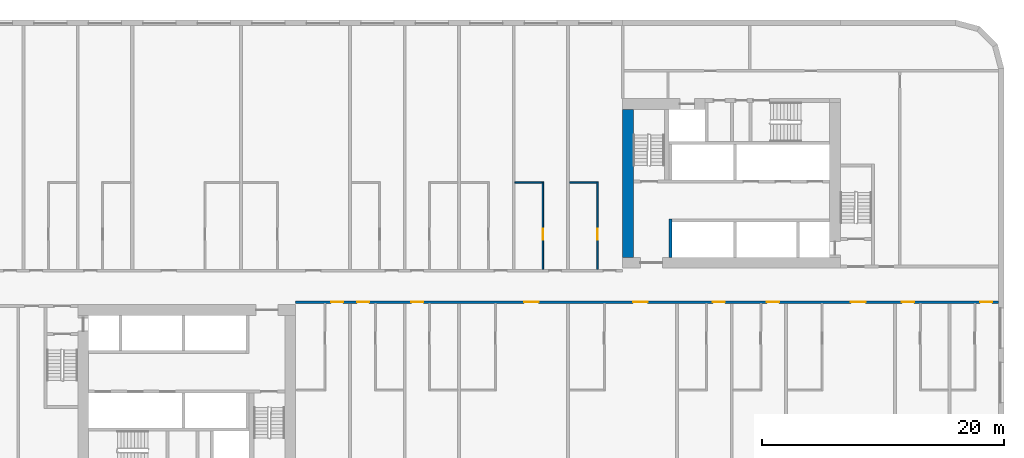
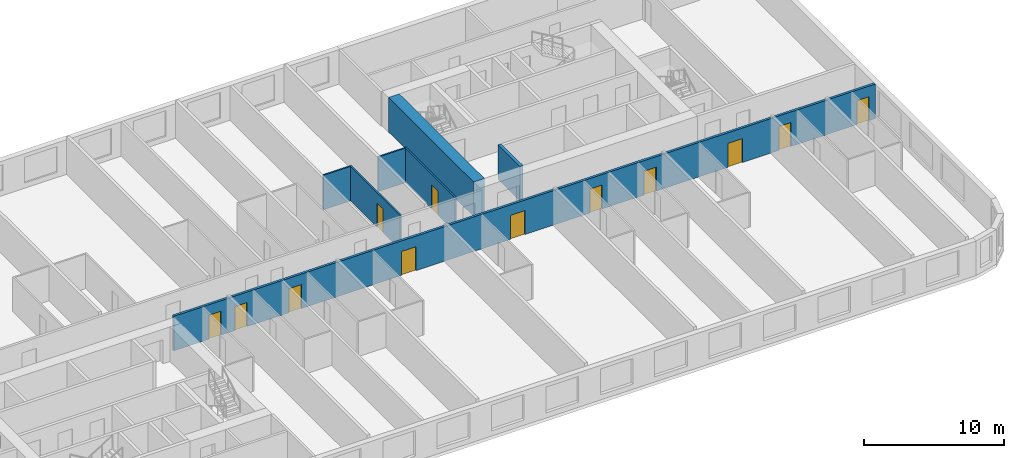
# One storey, part 5 of 12: 12 doors, 7 walls, 12 openings.
"""IFC4 building model written with IfcOpenShell, lengths in metres."""

from ifc_helpers import new_model, si_unit, direction, frame, frame_2d, origin, place, context, subcontext, project, spatial, rectangle, extrude, material, layer, layer_set, type_object, element, fill, save


model = new_model("IFC4")

# Units and contexts
model_context = context("Model", 3, precision=1e-05, world=origin(), true_north=direction((0.0, 1.0)))
body_context = subcontext(model_context, "Body", "Model", "MODEL_VIEW")
ifc_project = project(units=[si_unit("LENGTHUNIT", "METRE"), si_unit("AREAUNIT", "SQUARE_METRE"), si_unit("VOLUMEUNIT", "CUBIC_METRE"), si_unit("PLANEANGLEUNIT", "RADIAN"), si_unit("MASSUNIT", "GRAM", prefix="KILO")], contexts=[model_context])

# Site, building, storey
site_placement = place(None, origin())
site = spatial("IfcSite", under=ifc_project, at=site_placement, CompositionType="ELEMENT")
building_placement = place(site_placement, origin())
building = spatial("IfcBuilding", under=site, at=building_placement, Name="Kajstack Hotel Tower", CompositionType="ELEMENT")
storey_placement = place(building_placement, frame((0.0, 0.0, 76.5)))
storey = spatial("IfcBuildingStorey", under=building, at=storey_placement, Name="L14", CompositionType="ELEMENT", Elevation=76.5)

# Wall
ifc_material_1 = material(Name="Concrete C60/75", Category="concrete")
ifc_layer_1 = layer(ifc_material_1, 0.89990234375)
ifc_layer_set_1 = layer_set([ifc_layer_1], Name="Core wall 900")
wall_type_1 = type_object("IfcWallType", Name="Core wall 900", PredefinedType="SHEAR", material=ifc_layer_set_1)
wall_1_placement = place(storey_placement, frame((13.949951171875, 2.39990234375, 0.0), z_axis=(0.0, 0.0, 1.0), x_axis=(0.0, 1.0, 0.0)))
element("IfcWall", 1, at=wall_1_placement, inside=storey, type_object=wall_type_1, Name="Core wall E RE", PredefinedType="SHEAR", context=body_context, shape_type="SweptSolid", body=[
    extrude(rectangle(XDim=12.2001953125, YDim=0.89990234375, at=frame_2d((6.10009765625, 0.0))), origin(), (0.0, 0.0, 1.0), 3.02001953125),
])

# Wall, openings, doors
ifc_material_2 = material(Name="Gypsum board on steel studs, mineral wool", Category="steel")
ifc_layer_2 = layer(ifc_material_2, 0.199951171875)
ifc_layer_set_2 = layer_set([ifc_layer_2], Name="Corridor wall 200")
wall_type_2 = type_object("IfcWallType", Name="Corridor wall 200", PredefinedType="PARTITIONING", material=ifc_layer_set_2)
wall_2_placement = place(storey_placement, frame((-13.5, -1.300048828125, 0.0), z_axis=(0.0, 0.0, 1.0), x_axis=(1.0, 0.0, 0.0)))
wall_2 = element("IfcWall", 2, at=wall_2_placement, inside=storey, type_object=wall_type_2, Name="G-wall-L14-029", PredefinedType="PARTITIONING", context=body_context, shape_type="SweptSolid", body=[
    extrude(rectangle(XDim=58.050048828125, YDim=0.199951171875, at=frame_2d((29.02490234375, 0.0))), origin(), (0.0, 0.0, 1.0), 3.02001953125),
])
opening_1_placement = place(wall_2_placement, frame((2.925048828125, 0.0, 0.0)))
opening_1 = element("IfcOpeningElement", 3, at=opening_1_placement, cuts=wall_2, Name="Opening 14023", PredefinedType="OPENING", context=body_context, shape_type="SweptSolid", body=[
    extrude(rectangle(XDim=1.0, YDim=2.10009765625, at=frame_2d((0.5, 1.050048828125))), frame((0.0, 0.10986328125, 0.0), z_axis=(0.0, -1.0, 0.0), x_axis=(1.0, 0.0, 0.0)), (0.0, 0.0, 1.0), 0.219970703125),
])
opening_2_placement = place(wall_2_placement, frame((5.074951171875, 0.0, 0.0)))
opening_2 = element("IfcOpeningElement", 4, at=opening_2_placement, cuts=wall_2, Name="Opening 14025", PredefinedType="OPENING", context=body_context, shape_type="SweptSolid", body=[
    extrude(rectangle(XDim=1.0, YDim=2.10009765625, at=frame_2d((0.5, 1.050048828125))), frame((0.0, 0.10986328125, 0.0), z_axis=(0.0, -1.0, 0.0), x_axis=(1.0, 0.0, 0.0)), (0.0, 0.0, 1.0), 0.219970703125),
])
opening_3_placement = place(wall_2_placement, frame((9.550048828125, 0.0, 0.0)))
opening_3 = element("IfcOpeningElement", 5, at=opening_3_placement, cuts=wall_2, Name="Opening 14027", PredefinedType="OPENING", context=body_context, shape_type="SweptSolid", body=[
    extrude(rectangle(XDim=1.0, YDim=2.10009765625, at=frame_2d((0.5, 1.050048828125))), frame((0.0, 0.10986328125, 0.0), z_axis=(0.0, -1.0, 0.0), x_axis=(1.0, 0.0, 0.0)), (0.0, 0.0, 1.0), 0.219970703125),
])
opening_4_placement = place(wall_2_placement, frame((18.862060546875, 0.0, 0.0)))
opening_4 = element("IfcOpeningElement", 6, at=opening_4_placement, cuts=wall_2, Name="Opening 14029", PredefinedType="OPENING", context=body_context, shape_type="SweptSolid", body=[
    extrude(rectangle(XDim=1.199951171875, YDim=2.10009765625, at=frame_2d((0.60009765625, 1.050048828125))), frame((0.0, 0.10986328125, 0.0), z_axis=(0.0, -1.0, 0.0), x_axis=(1.0, 0.0, 0.0)), (0.0, 0.0, 1.0), 0.219970703125),
])
opening_5_placement = place(wall_2_placement, frame((27.862060546875, 0.0, 0.0)))
opening_5 = element("IfcOpeningElement", 7, at=opening_5_placement, cuts=wall_2, Name="Opening 14031", PredefinedType="OPENING", context=body_context, shape_type="SweptSolid", body=[
    extrude(rectangle(XDim=1.199951171875, YDim=2.10009765625, at=frame_2d((0.60009765625, 1.050048828125))), frame((0.0, 0.10986328125, 0.0), z_axis=(0.0, -1.0, 0.0), x_axis=(1.0, 0.0, 0.0)), (0.0, 0.0, 1.0), 0.219970703125),
])
opening_6_placement = place(wall_2_placement, frame((34.449951171875, 0.0, 0.0)))
opening_6 = element("IfcOpeningElement", 8, at=opening_6_placement, cuts=wall_2, Name="Opening 14033", PredefinedType="OPENING", context=body_context, shape_type="SweptSolid", body=[
    extrude(rectangle(XDim=1.0, YDim=2.10009765625, at=frame_2d((0.5, 1.050048828125))), frame((0.0, 0.10986328125, 0.0), z_axis=(0.0, -1.0, 0.0), x_axis=(1.0, 0.0, 0.0)), (0.0, 0.0, 1.0), 0.219970703125),
])
opening_7_placement = place(wall_2_placement, frame((38.925048828125, 0.0, 0.0)))
opening_7 = element("IfcOpeningElement", 9, at=opening_7_placement, cuts=wall_2, Name="Opening 14035", PredefinedType="OPENING", context=body_context, shape_type="SweptSolid", body=[
    extrude(rectangle(XDim=1.0, YDim=2.10009765625, at=frame_2d((0.5, 1.050048828125))), frame((0.0, 0.10986328125, 0.0), z_axis=(0.0, -1.0, 0.0), x_axis=(1.0, 0.0, 0.0)), (0.0, 0.0, 1.0), 0.219970703125),
])
opening_8_placement = place(wall_2_placement, frame((45.862060546875, 0.0, 0.0)))
opening_8 = element("IfcOpeningElement", 10, at=opening_8_placement, cuts=wall_2, Name="Opening 14037", PredefinedType="OPENING", context=body_context, shape_type="SweptSolid", body=[
    extrude(rectangle(XDim=1.199951171875, YDim=2.10009765625, at=frame_2d((0.60009765625, 1.050048828125))), frame((0.0, 0.10986328125, 0.0), z_axis=(0.0, -1.0, 0.0), x_axis=(1.0, 0.0, 0.0)), (0.0, 0.0, 1.0), 0.219970703125),
])
opening_9_placement = place(wall_2_placement, frame((50.074951171875, 0.0, 0.0)))
opening_9 = element("IfcOpeningElement", 11, at=opening_9_placement, cuts=wall_2, Name="Opening 14039", PredefinedType="OPENING", context=body_context, shape_type="SweptSolid", body=[
    extrude(rectangle(XDim=1.0, YDim=2.10009765625, at=frame_2d((0.5, 1.050048828125))), frame((0.0, 0.10986328125, 0.0), z_axis=(0.0, -1.0, 0.0), x_axis=(1.0, 0.0, 0.0)), (0.0, 0.0, 1.0), 0.219970703125),
])
opening_10_placement = place(wall_2_placement, frame((56.52490234375, 0.0, 0.0)))
opening_10 = element("IfcOpeningElement", 12, at=opening_10_placement, cuts=wall_2, Name="Opening 14041", PredefinedType="OPENING", context=body_context, shape_type="SweptSolid", body=[
    extrude(rectangle(XDim=1.0, YDim=2.10009765625, at=frame_2d((0.5, 1.050048828125))), frame((0.0, 0.10986328125, 0.0), z_axis=(0.0, -1.0, 0.0), x_axis=(1.0, 0.0, 0.0)), (0.0, 0.0, 1.0), 0.219970703125),
])
ifc_material_3 = material(Name="Oak veneer on timber core, fire-rated leaf", Category="wood")
door_type_1 = type_object("IfcDoorType", Name="Flat entrance door 1000", OperationType="SINGLE_SWING_LEFT", PredefinedType="DOOR", material=ifc_material_3)
door_1_placement = place(opening_1_placement, origin())
door_1 = element("IfcDoor", 13, at=door_1_placement, inside=storey, type_object=door_type_1, Name="G-door-L14-23", OperationType="SINGLE_SWING_RIGHT", OverallHeight=2.10009765625, OverallWidth=1.0, PredefinedType="DOOR", context=body_context, shape_type="SweptSolid", body=[
    extrude(rectangle(XDim=1.0, YDim=2.10009765625, at=frame_2d((0.5, 1.050048828125))), frame((0.0, 0.02490234375, 0.0), z_axis=(0.0, -1.0, 0.0), x_axis=(1.0, 0.0, 0.0)), (0.0, 0.0, 1.0), 0.050048828125),
])
fill(opening_1, door_1)
door_2_placement = place(opening_2_placement, origin())
door_2 = element("IfcDoor", 14, at=door_2_placement, inside=storey, type_object=door_type_1, Name="G-door-L14-25", OperationType="SINGLE_SWING_RIGHT", OverallHeight=2.10009765625, OverallWidth=1.0, PredefinedType="DOOR", context=body_context, shape_type="SweptSolid", body=[
    extrude(rectangle(XDim=1.0, YDim=2.10009765625, at=frame_2d((0.5, 1.050048828125))), frame((0.0, 0.02490234375, 0.0), z_axis=(0.0, -1.0, 0.0), x_axis=(1.0, 0.0, 0.0)), (0.0, 0.0, 1.0), 0.050048828125),
])
fill(opening_2, door_2)
door_3_placement = place(opening_3_placement, origin())
door_3 = element("IfcDoor", 15, at=door_3_placement, inside=storey, type_object=door_type_1, Name="G-door-L14-27", OperationType="SINGLE_SWING_RIGHT", OverallHeight=2.10009765625, OverallWidth=1.0, PredefinedType="DOOR", context=body_context, shape_type="SweptSolid", body=[
    extrude(rectangle(XDim=1.0, YDim=2.10009765625, at=frame_2d((0.5, 1.050048828125))), frame((0.0, 0.02490234375, 0.0), z_axis=(0.0, -1.0, 0.0), x_axis=(1.0, 0.0, 0.0)), (0.0, 0.0, 1.0), 0.050048828125),
])
fill(opening_3, door_3)
door_4_placement = place(opening_6_placement, origin())
door_4 = element("IfcDoor", 16, at=door_4_placement, inside=storey, type_object=door_type_1, Name="G-door-L14-33", OperationType="SINGLE_SWING_LEFT", OverallHeight=2.10009765625, OverallWidth=1.0, PredefinedType="DOOR", context=body_context, shape_type="SweptSolid", body=[
    extrude(rectangle(XDim=1.0, YDim=2.10009765625, at=frame_2d((0.5, 1.050048828125))), frame((0.0, 0.02490234375, 0.0), z_axis=(0.0, -1.0, 0.0), x_axis=(1.0, 0.0, 0.0)), (0.0, 0.0, 1.0), 0.050048828125),
])
fill(opening_6, door_4)
door_5_placement = place(opening_7_placement, origin())
door_5 = element("IfcDoor", 17, at=door_5_placement, inside=storey, type_object=door_type_1, Name="G-door-L14-35", OperationType="SINGLE_SWING_RIGHT", OverallHeight=2.10009765625, OverallWidth=1.0, PredefinedType="DOOR", context=body_context, shape_type="SweptSolid", body=[
    extrude(rectangle(XDim=1.0, YDim=2.10009765625, at=frame_2d((0.5, 1.050048828125))), frame((0.0, 0.02490234375, 0.0), z_axis=(0.0, -1.0, 0.0), x_axis=(1.0, 0.0, 0.0)), (0.0, 0.0, 1.0), 0.050048828125),
])
fill(opening_7, door_5)
door_6_placement = place(opening_9_placement, origin())
door_6 = element("IfcDoor", 18, at=door_6_placement, inside=storey, type_object=door_type_1, Name="G-door-L14-39", OperationType="SINGLE_SWING_RIGHT", OverallHeight=2.10009765625, OverallWidth=1.0, PredefinedType="DOOR", context=body_context, shape_type="SweptSolid", body=[
    extrude(rectangle(XDim=1.0, YDim=2.10009765625, at=frame_2d((0.5, 1.050048828125))), frame((0.0, 0.02490234375, 0.0), z_axis=(0.0, -1.0, 0.0), x_axis=(1.0, 0.0, 0.0)), (0.0, 0.0, 1.0), 0.050048828125),
])
fill(opening_9, door_6)
door_7_placement = place(opening_10_placement, origin())
door_7 = element("IfcDoor", 19, at=door_7_placement, inside=storey, type_object=door_type_1, Name="G-door-L14-41", OperationType="SINGLE_SWING_LEFT", OverallHeight=2.10009765625, OverallWidth=1.0, PredefinedType="DOOR", context=body_context, shape_type="SweptSolid", body=[
    extrude(rectangle(XDim=1.0, YDim=2.10009765625, at=frame_2d((0.5, 1.050048828125))), frame((0.0, 0.02490234375, 0.0), z_axis=(0.0, -1.0, 0.0), x_axis=(1.0, 0.0, 0.0)), (0.0, 0.0, 1.0), 0.050048828125),
])
fill(opening_10, door_7)
door_type_2 = type_object("IfcDoorType", Name="Flat entrance door 1200", OperationType="SINGLE_SWING_LEFT", PredefinedType="DOOR", material=ifc_material_3)
door_8_placement = place(opening_4_placement, origin())
door_8 = element("IfcDoor", 20, at=door_8_placement, inside=storey, type_object=door_type_2, Name="G-door-L14-29", OperationType="SINGLE_SWING_LEFT", OverallHeight=2.10009765625, OverallWidth=1.199951171875, PredefinedType="DOOR", context=body_context, shape_type="SweptSolid", body=[
    extrude(rectangle(XDim=1.199951171875, YDim=2.10009765625, at=frame_2d((0.60009765625, 1.050048828125))), frame((0.0, 0.02490234375, 0.0), z_axis=(0.0, -1.0, 0.0), x_axis=(1.0, 0.0, 0.0)), (0.0, 0.0, 1.0), 0.050048828125),
])
fill(opening_4, door_8)
door_9_placement = place(opening_5_placement, origin())
door_9 = element("IfcDoor", 21, at=door_9_placement, inside=storey, type_object=door_type_2, Name="G-door-L14-31", OperationType="SINGLE_SWING_RIGHT", OverallHeight=2.10009765625, OverallWidth=1.199951171875, PredefinedType="DOOR", context=body_context, shape_type="SweptSolid", body=[
    extrude(rectangle(XDim=1.199951171875, YDim=2.10009765625, at=frame_2d((0.60009765625, 1.050048828125))), frame((0.0, 0.02490234375, 0.0), z_axis=(0.0, -1.0, 0.0), x_axis=(1.0, 0.0, 0.0)), (0.0, 0.0, 1.0), 0.050048828125),
])
fill(opening_5, door_9)
door_10_placement = place(opening_8_placement, origin())
door_10 = element("IfcDoor", 22, at=door_10_placement, inside=storey, type_object=door_type_2, Name="G-door-L14-37", OperationType="SINGLE_SWING_LEFT", OverallHeight=2.10009765625, OverallWidth=1.199951171875, PredefinedType="DOOR", context=body_context, shape_type="SweptSolid", body=[
    extrude(rectangle(XDim=1.199951171875, YDim=2.10009765625, at=frame_2d((0.60009765625, 1.050048828125))), frame((0.0, 0.02490234375, 0.0), z_axis=(0.0, -1.0, 0.0), x_axis=(1.0, 0.0, 0.0)), (0.0, 0.0, 1.0), 0.050048828125),
])
fill(opening_8, door_10)

# Wall, opening, door
ifc_material_4 = material(Name="Gypsum board and tiled backer on steel studs", Category="steel")
ifc_layer_3 = layer(ifc_material_4, 0.125)
ifc_layer_set_3 = layer_set([ifc_layer_3], Name="En-suite wall 125")
wall_type_3 = type_object("IfcWallType", Name="En-suite wall 125", PredefinedType="PARTITIONING", material=ifc_layer_set_3)
wall_3_placement = place(storey_placement, frame((6.912109375, 1.39990234375, 0.0), z_axis=(0.0, 0.0, 1.0), x_axis=(0.0, 1.0, 0.0)))
wall_3 = element("IfcWall", 23, at=wall_3_placement, inside=storey, type_object=wall_type_3, Name="G-wall-L14-025", PredefinedType="PARTITIONING", context=body_context, shape_type="SweptSolid", body=[
    extrude(rectangle(XDim=7.22509765625, YDim=0.125, at=frame_2d((3.612548828125, 0.0))), origin(), (0.0, 0.0, 1.0), 3.02001953125),
])
opening_11_placement = place(wall_3_placement, frame((2.449951171875, 0.0, 0.0)))
opening_11 = element("IfcOpeningElement", 24, at=opening_11_placement, cuts=wall_3, Name="Opening 14020", PredefinedType="OPENING", context=body_context, shape_type="SweptSolid", body=[
    extrude(rectangle(XDim=0.89990234375, YDim=2.10009765625, at=frame_2d((0.449951171875, 1.050048828125))), frame((0.0, 0.072509765625, 0.0), z_axis=(0.0, -1.0, 0.0), x_axis=(1.0, 0.0, 0.0)), (0.0, 0.0, 1.0), 0.14501953125),
])
ifc_material_5 = material(Name="Painted timber door leaf", Category="wood")
door_type_3 = type_object("IfcDoorType", Name="Room door 900", OperationType="SINGLE_SWING_LEFT", PredefinedType="DOOR", material=ifc_material_5)
door_11_placement = place(opening_11_placement, origin())
door_11 = element("IfcDoor", 25, at=door_11_placement, inside=storey, type_object=door_type_3, Name="G-door-L14-20", OperationType="SINGLE_SWING_RIGHT", OverallHeight=2.10009765625, OverallWidth=0.89990234375, PredefinedType="DOOR", context=body_context, shape_type="SweptSolid", body=[
    extrude(rectangle(XDim=0.89990234375, YDim=2.10009765625, at=frame_2d((0.449951171875, 1.050048828125))), frame((0.0, 0.02490234375, 0.0), z_axis=(0.0, -1.0, 0.0), x_axis=(1.0, 0.0, 0.0)), (0.0, 0.0, 1.0), 0.050048828125),
])
fill(opening_11, door_11)

# Wall
wall_4_placement = place(storey_placement, frame((4.60009765625, 8.56201171875, 0.0), z_axis=(0.0, 0.0, 1.0), x_axis=(1.0, 0.0, 0.0)))
element("IfcWall", 26, at=wall_4_placement, inside=storey, type_object=wall_type_3, Name="G-wall-L14-026", PredefinedType="PARTITIONING", context=body_context, shape_type="SweptSolid", body=[
    extrude(rectangle(XDim=2.25, YDim=0.125, at=frame_2d((1.125, 0.0))), origin(), (0.0, 0.0, 1.0), 3.02001953125),
])

# Wall, opening, door
wall_5_placement = place(storey_placement, frame((11.43798828125, 1.39990234375, 0.0), z_axis=(0.0, 0.0, 1.0), x_axis=(0.0, 1.0, 0.0)))
wall_5 = element("IfcWall", 27, at=wall_5_placement, inside=storey, type_object=wall_type_3, Name="G-wall-L14-027", PredefinedType="PARTITIONING", context=body_context, shape_type="SweptSolid", body=[
    extrude(rectangle(XDim=7.22509765625, YDim=0.125, at=frame_2d((3.612548828125, 0.0))), origin(), (0.0, 0.0, 1.0), 3.02001953125),
])
opening_12_placement = place(wall_5_placement, frame((2.449951171875, 0.0, 0.0)))
opening_12 = element("IfcOpeningElement", 28, at=opening_12_placement, cuts=wall_5, Name="Opening 14022", PredefinedType="OPENING", context=body_context, shape_type="SweptSolid", body=[
    extrude(rectangle(XDim=0.89990234375, YDim=2.10009765625, at=frame_2d((0.449951171875, 1.050048828125))), frame((0.0, 0.072509765625, 0.0), z_axis=(0.0, -1.0, 0.0), x_axis=(1.0, 0.0, 0.0)), (0.0, 0.0, 1.0), 0.14501953125),
])
door_12_placement = place(opening_12_placement, origin())
door_12 = element("IfcDoor", 29, at=door_12_placement, inside=storey, type_object=door_type_3, Name="G-door-L14-22", OperationType="SINGLE_SWING_RIGHT", OverallHeight=2.10009765625, OverallWidth=0.89990234375, PredefinedType="DOOR", context=body_context, shape_type="SweptSolid", body=[
    extrude(rectangle(XDim=0.89990234375, YDim=2.10009765625, at=frame_2d((0.449951171875, 1.050048828125))), frame((0.0, 0.02490234375, 0.0), z_axis=(0.0, -1.0, 0.0), x_axis=(1.0, 0.0, 0.0)), (0.0, 0.0, 1.0), 0.050048828125),
])
fill(opening_12, door_12)

# Walls
wall_6_placement = place(storey_placement, frame((9.125, 8.56201171875, 0.0), z_axis=(0.0, 0.0, 1.0), x_axis=(1.0, 0.0, 0.0)))
element("IfcWall", 30, at=wall_6_placement, inside=storey, type_object=wall_type_3, Name="G-wall-L14-028", PredefinedType="PARTITIONING", context=body_context, shape_type="SweptSolid", body=[
    extrude(rectangle(XDim=2.25, YDim=0.125, at=frame_2d((1.125, 0.0))), origin(), (0.0, 0.0, 1.0), 3.02001953125),
])
ifc_material_6 = material(Name="Concrete C50/60", Category="concrete")
ifc_layer_4 = layer(ifc_material_6, 0.25)
ifc_layer_set_4 = layer_set([ifc_layer_4], Name="Shaft wall 250")
wall_type_4 = type_object("IfcWallType", Name="Shaft wall 250", PredefinedType="SHEAR", material=ifc_layer_set_4)
wall_7_placement = place(storey_placement, frame((17.47509765625, 2.39990234375, 0.0), z_axis=(0.0, 0.0, 1.0), x_axis=(0.0, 1.0, 0.0)))
element("IfcWall", 31, at=wall_7_placement, inside=storey, type_object=wall_type_4, Name="Core wall E AE", PredefinedType="SHEAR", context=body_context, shape_type="SweptSolid", body=[
    extrude(rectangle(XDim=3.150146484375, YDim=0.25, at=frame_2d((1.5751953125, 0.0))), origin(), (0.0, 0.0, 1.0), 3.02001953125),
])

save(model, "model.ifc")
